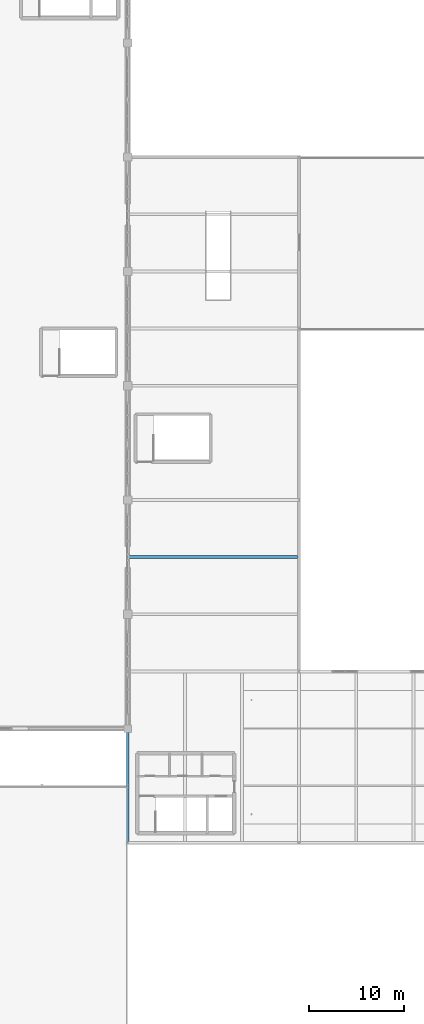
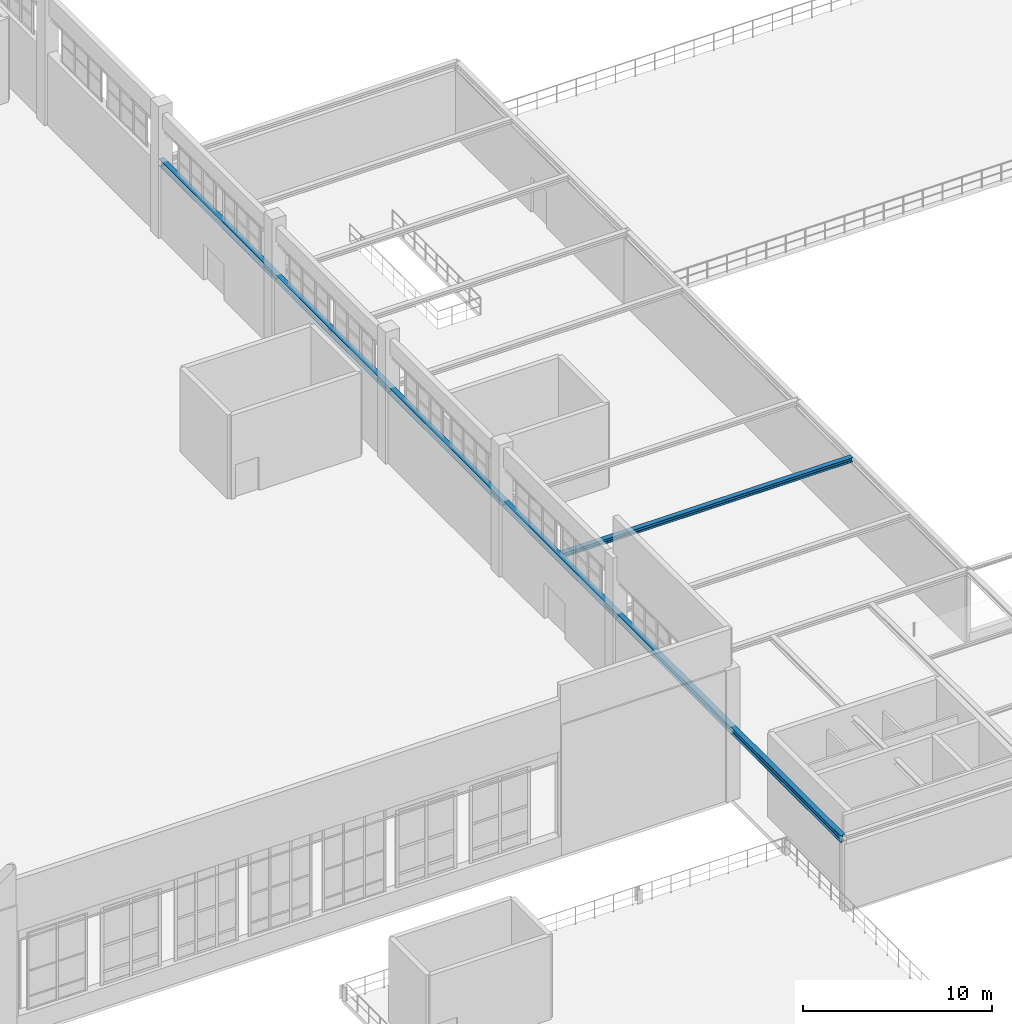
# One storey, part 48 of 97: 2 beams.
"""IFC4 building model written with IfcOpenShell, lengths in metres."""

from ifc_helpers import new_model, si_unit, derived_unit, direction, frame, origin, origin_2d, place, context, subcontext, project, spatial, i_section, extrude, material, material_profile, profile_set, type_object, element, save


model = new_model("IFC4")

# Units and contexts
model_context = context("Model", 3, precision=1e-05, world=origin(), true_north=direction((0.0, 1.0)))
body_context = subcontext(model_context, "Body", "Model", "MODEL_VIEW")
ifc_project = project(units=[si_unit("LENGTHUNIT", "METRE"), si_unit("AREAUNIT", "SQUARE_METRE"), si_unit("VOLUMEUNIT", "CUBIC_METRE"), si_unit("PLANEANGLEUNIT", "RADIAN"), si_unit("MASSUNIT", "GRAM", prefix="KILO"), derived_unit("THERMALTRANSMITTANCEUNIT", [(si_unit("POWERUNIT", "WATT"), 1), (si_unit("LENGTHUNIT", "METRE"), -2), (si_unit("THERMODYNAMICTEMPERATUREUNIT", "KELVIN"), -1)])], contexts=[model_context])

# Site, building, storey
site_placement = place(None, origin())
site = spatial("IfcSite", under=ifc_project, at=site_placement, CompositionType="ELEMENT")
building_placement = place(site_placement, origin())
building = spatial("IfcBuilding", under=site, at=building_placement, Name="Almenara Railside Exhibition Hall", CompositionType="ELEMENT")
storey_placement = place(building_placement, frame((0.0, 0.0, 10.800048828125)))
storey = spatial("IfcBuildingStorey", under=building, at=storey_placement, Name="L02", CompositionType="ELEMENT", Elevation=10.800048828125)

# Beams
ifc_material = material(Name="Structural steel S355JR", Category="steel")
ifc_material_profile_1 = material_profile(ifc_material, i_section(OverallWidth=0.300048828125, OverallDepth=0.43994140625, WebThickness=0.011474609375, FlangeThickness=0.02099609375, FilletRadius=0.027099609375, at=origin_2d()), Name="HEA 450")
ifc_profile_set_1 = profile_set([ifc_material_profile_1], Name="Structural steel S355JR")
beam_type_1 = type_object("IfcBeamType", Name="Steel Concourse Spine Girder HEA 450 S355JR", PredefinedType="USERDEFINED", material=ifc_profile_set_1)
beam_1_placement = place(storey_placement, frame((66.0, 36.0, 4.575927734375), z_axis=(0.0, 1.0, 0.0), x_axis=(-1.0, 0.0, 0.0)))
element("IfcBeam", 1, at=beam_1_placement, inside=storey, type_object=beam_type_1, Name="Beam 0734", ObjectType="GIRDER", PredefinedType="USERDEFINED", context=body_context, shape_type="SweptSolid", body=[
    extrude(i_section(OverallWidth=0.300048828125, OverallDepth=0.43994140625, WebThickness=0.011474609375, FlangeThickness=0.02099609375, FilletRadius=0.027099609375, at=origin_2d()), origin(), (0.0, 0.0, 1.0), 72.0),
])
ifc_material_profile_2 = material_profile(ifc_material, i_section(OverallWidth=0.300048828125, OverallDepth=0.2900390625, WebThickness=0.008544921875, FlangeThickness=0.013916015625, FilletRadius=0.027099609375, at=origin_2d()), Name="HEA 300")
ifc_profile_set_2 = profile_set([ifc_material_profile_2], Name="Structural steel S355JR")
beam_type_2 = type_object("IfcBeamType", Name="Steel Concourse Tie Beam HEA 300 S355JR", PredefinedType="BEAM", material=ifc_profile_set_2)
beam_2_placement = place(storey_placement, frame((66.14990234375, 66.0, 4.65087890625), z_axis=(1.0, 0.0, 0.0), x_axis=(0.0, 1.0, 0.0)))
element("IfcBeam", 2, at=beam_2_placement, inside=storey, type_object=beam_type_2, Name="Beam 0835", PredefinedType="BEAM", context=body_context, shape_type="SweptSolid", body=[
    extrude(i_section(OverallWidth=0.300048828125, OverallDepth=0.2900390625, WebThickness=0.008544921875, FlangeThickness=0.013916015625, FilletRadius=0.027099609375, at=origin_2d()), origin(), (0.0, 0.0, 1.0), 17.7001953125),
])

save(model, "model.ifc")
